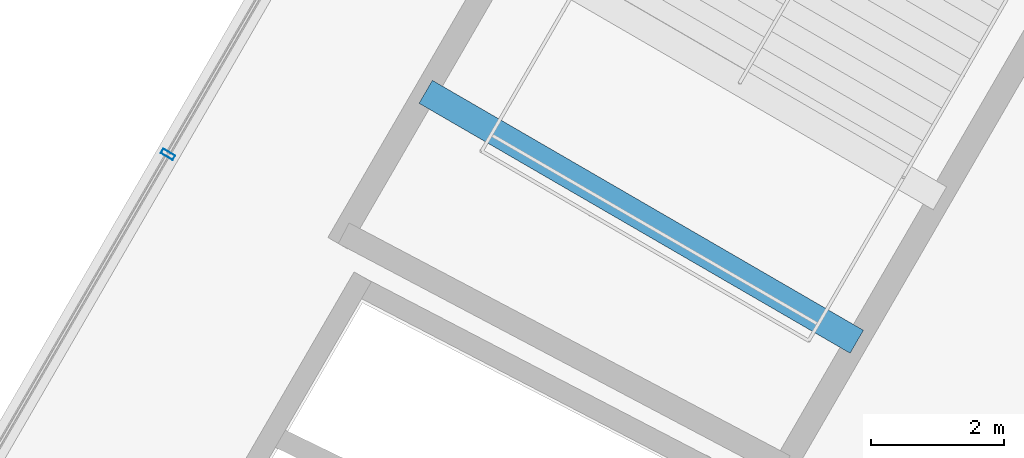
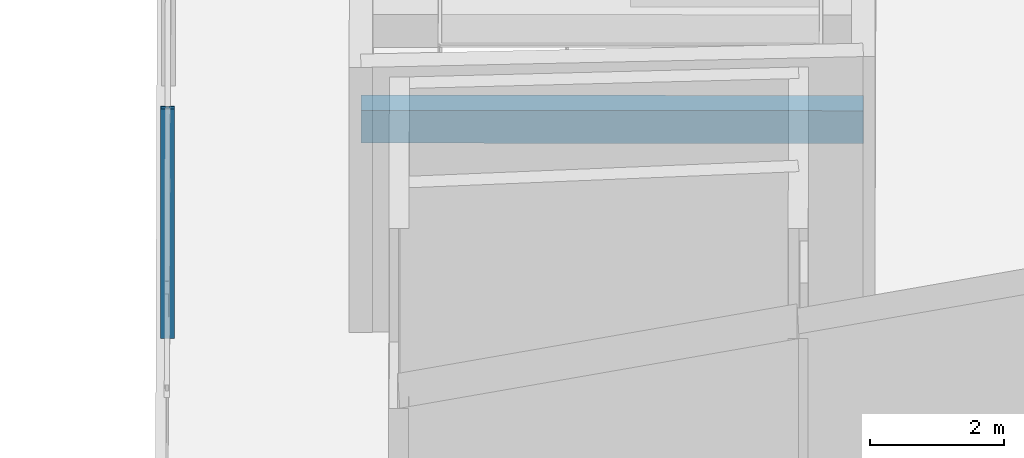
# One storey, part 92 of 184: 1 beam, 1 member, 1 element without a shape of its own.
"""IFC4 building model written with IfcOpenShell, lengths in metres."""

from ifc_helpers import new_model, si_unit, direction, frame, origin, origin_2d, place, context, subcontext, project, spatial, rectangle, hollow_rectangle, extrude, material, layer, layer_set, material_profile, profile_set, type_object, element, aggregate, save


model = new_model("IFC4")

# Units and contexts
model_context = context("Model", 3, precision=1e-05, world=origin(), true_north=direction((0.0, 1.0)))
body_context = subcontext(model_context, "Body", "Model", "MODEL_VIEW")
ifc_project = project(units=[si_unit("LENGTHUNIT", "METRE"), si_unit("AREAUNIT", "SQUARE_METRE"), si_unit("VOLUMEUNIT", "CUBIC_METRE"), si_unit("PLANEANGLEUNIT", "RADIAN"), si_unit("MASSUNIT", "GRAM", prefix="KILO")], contexts=[model_context])

# Site, building, storey
site_placement = place(None, origin())
site = spatial("IfcSite", under=ifc_project, at=site_placement, CompositionType="ELEMENT")
building_placement = place(site_placement, origin())
building = spatial("IfcBuilding", under=site, at=building_placement, Name="Kazemori Nagisa Stadium", CompositionType="ELEMENT")
storey_placement = place(building_placement, frame((0.0, 0.0, 10.5400390625)))
storey = spatial("IfcBuildingStorey", under=building, at=storey_placement, Name="L02", CompositionType="ELEMENT", Elevation=10.5400390625)

# Beam
ifc_material_1 = material(Name="Concrete C40/50 (Fc42)", Category="concrete")
ifc_material_profile_1 = material_profile(ifc_material_1, rectangle(XDim=0.39990234375, YDim=0.60009765625, at=origin_2d()), Name="RC-BM-400x600")
ifc_profile_set_1 = profile_set([ifc_material_profile_1], Name="Concrete C40/50 (Fc42)")
beam_type = type_object("IfcBeamType", Name="Beam_BG-LND400X600", PredefinedType="BEAM", material=ifc_profile_set_1)
beam_placement = place(storey_placement, frame((48.04541015625, 144.033447265625, 2.050048828125), z_axis=(-0.865094639125, 0.501608677514, 0.0), x_axis=(-0.501608677514, -0.865094639125, 0.0)))
element("IfcBeam", 1, at=beam_placement, inside=storey, type_object=beam_type, Name="Core stair mid-landing girder ST08-L02-2", PredefinedType="BEAM", context=body_context, shape_type="SweptSolid", body=[
    extrude(rectangle(XDim=0.39990234375, YDim=0.60009765625, at=origin_2d()), origin(), (0.0, 0.0, 1.0), 7.513916015625),
])

# Curtain wall, member
ifc_material_2 = material(Name="Anodised aluminium 6063-T5", Category="aluminium")
ifc_layer = layer(ifc_material_2, 0.2099609375, Name="Anodised aluminium 6063-T5", Category="aluminium")
ifc_layer_set = layer_set([ifc_layer], Name="Anodised aluminium 6063-T5")
curtain_wall_type = type_object("IfcCurtainWallType", Name="CW_L02R3_99", PredefinedType="USERDEFINED", material=ifc_layer_set)
curtain_wall_placement = place(storey_placement, origin())
curtain_wall = element("IfcCurtainWall", 2, at=curtain_wall_placement, inside=storey, type_object=curtain_wall_type, Name="Unitised curtain wall CW-L02R3-99 L02", ObjectType="UNITISED CURTAIN WALL", PredefinedType="USERDEFINED")
ifc_material_3 = material(Name="Aluminium 6063-T5 anodised", Category="aluminium")
ifc_material_profile_2 = material_profile(ifc_material_3, hollow_rectangle(XDim=0.080078125, YDim=0.2099609375, WallThickness=0.0048828125, at=origin_2d()), Name="ALU-MULL-80x210x5")
ifc_profile_set_2 = profile_set([ifc_material_profile_2], Name="Aluminium 6063-T5 anodised")
member_type = type_object("IfcMemberType", Name="Mullion_M02", PredefinedType="MULLION", material=ifc_profile_set_2)
member_placement = place(storey_placement, frame((37.65771484375, 146.859130859375, 0.0), z_axis=(0.0, 0.0, 1.0), x_axis=(-0.501611590054, -0.865092950337, 0.0)))
member = element("IfcMember", 3, at=member_placement, type_object=member_type, Name="Curtain wall mullion CW-L02R3-99-M3", PredefinedType="MULLION", context=body_context, shape_type="SweptSolid", body=[
    extrude(hollow_rectangle(XDim=0.080078125, YDim=0.2099609375, WallThickness=0.0048828125, at=origin_2d()), origin(), (0.0, 0.0, 1.0), 4.18994140625),
])
aggregate(curtain_wall, [member])

save(model, "model.ifc")
